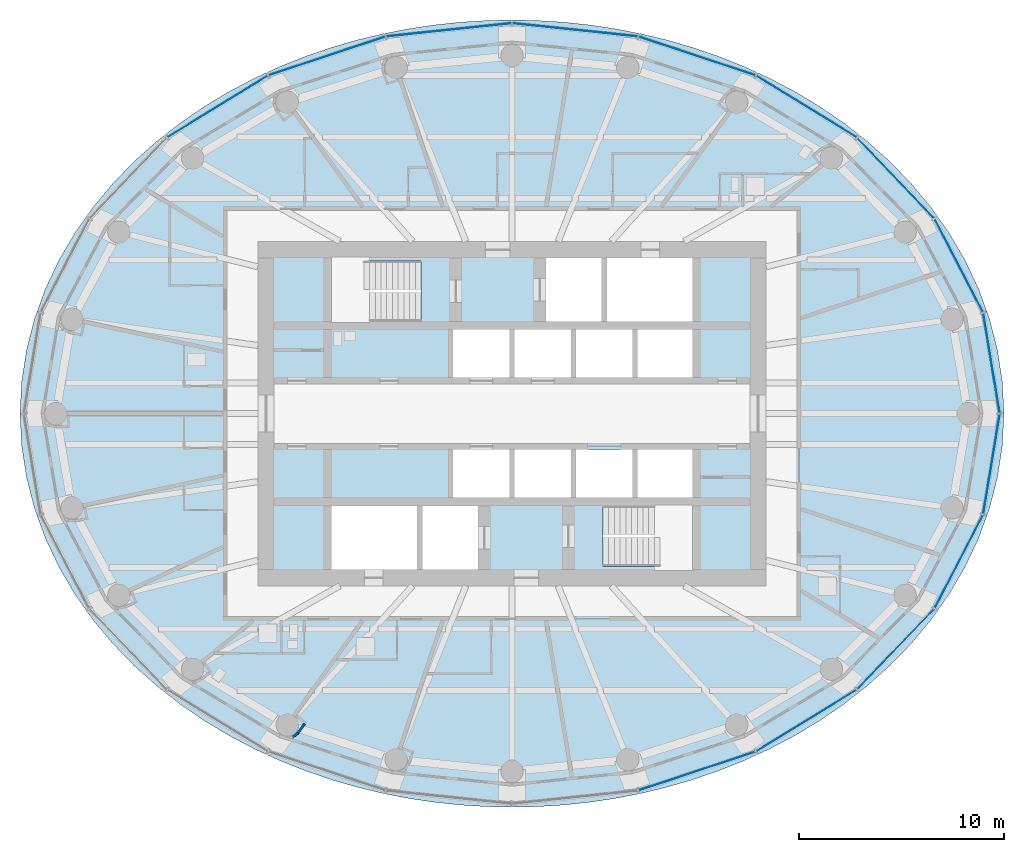
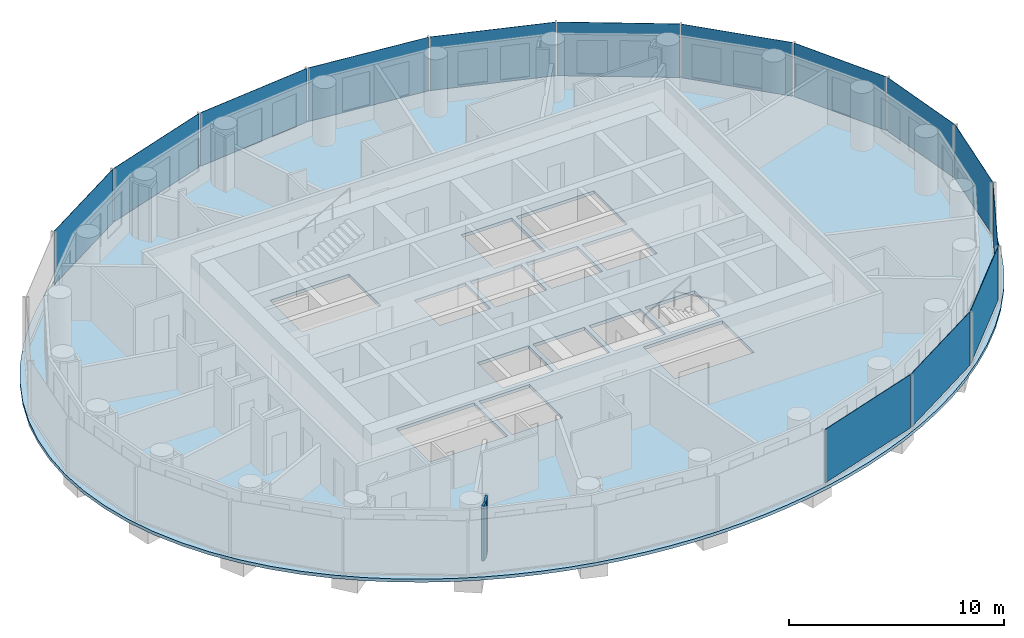
# One storey, part 6 of 16: 14 plates, 2 walls, 1 slab, 3 elements without a shape of their own.
"""IFC4 building model written with IfcOpenShell, lengths in metres."""

from ifc_helpers import new_model, si_unit, direction, frame, frame_2d, origin, origin_2d, place, context, subcontext, project, spatial, polyline, rectangle, outline, extrude, material, layer, layer_set, type_object, element, aggregate, save


model = new_model("IFC4")

# Units and contexts
model_context = context("Model", 3, precision=1e-05, world=origin(), true_north=direction((0.0, 1.0)))
body_context = subcontext(model_context, "Body", "Model", "MODEL_VIEW")
ifc_project = project(units=[si_unit("LENGTHUNIT", "METRE"), si_unit("AREAUNIT", "SQUARE_METRE"), si_unit("VOLUMEUNIT", "CUBIC_METRE"), si_unit("PLANEANGLEUNIT", "RADIAN"), si_unit("MASSUNIT", "GRAM", prefix="KILO")], contexts=[model_context])

# Site, building, storey
site_placement = place(None, origin())
site = spatial("IfcSite", under=ifc_project, at=site_placement, CompositionType="ELEMENT")
building_placement = place(site_placement, origin())
building = spatial("IfcBuilding", under=site, at=building_placement, Name="Hankou Lantern Tower", CompositionType="ELEMENT")
storey_placement = place(building_placement, frame((0.0, 0.0, 143.39990234375)))
storey = spatial("IfcBuildingStorey", under=building, at=storey_placement, Name="L37", CompositionType="ELEMENT", Elevation=143.39990234375)

# Curtain wall, plates
ifc_material_1 = material(Name="Glass, dark grey tinted laminated", Category="glass")
curtain_wall_type = type_object("IfcCurtainWallType", Name="CWC OUTER SKIN HIGH-RISE", PredefinedType="USERDEFINED", material=ifc_material_1)
curtain_wall_1_placement = place(storey_placement, origin())
curtain_wall_1 = element("IfcCurtainWall", 1, at=curtain_wall_1_placement, inside=storey, type_object=curtain_wall_type, Name="CWC L37 OS1", ObjectType="OUTER SKIN HIGH-RISE", PredefinedType="USERDEFINED")
ifc_material_2 = material(Name="Glass, dark grey tinted laminated", Category="glass")
ifc_layer_1 = layer(ifc_material_2, 0.02392578125)
ifc_layer_set_1 = layer_set([ifc_layer_1], Name="Glass, dark grey tinted laminated")
plate_type = type_object("IfcPlateType", Name="PN1 OUTER SKIN GLASS PANEL", PredefinedType="CURTAIN_PANEL", material=ifc_layer_set_1)
plate_1_placement = place(storey_placement, frame((23.39453125, 2.4638671875, 0.080078125), z_axis=(0.0, 0.0, 1.0), x_axis=(-0.162381515188, 0.986728049427, 0.0)))
plate_1 = element("IfcPlate", 2, at=plate_1_placement, type_object=plate_type, Name="CWC glass panel 1", PredefinedType="CURTAIN_PANEL", context=body_context, shape_type="SweptSolid", body=[
    extrude(rectangle(XDim=4.914306640625, YDim=0.02392578125, at=origin_2d()), origin(), (0.0, 0.0, 1.0), 3.0400390625),
])
plate_2_placement = place(storey_placement, frame((21.80029296875, 7.223876953125, 0.080078125), z_axis=(0.0, 0.0, 1.0), x_axis=(-0.459791091957, 0.888027112062, 0.0)))
plate_2 = element("IfcPlate", 3, at=plate_2_placement, type_object=plate_type, Name="CWC glass panel 2", PredefinedType="CURTAIN_PANEL", context=body_context, shape_type="SweptSolid", body=[
    extrude(rectangle(XDim=5.091064453125, YDim=0.02392578125, at=origin_2d()), origin(), (0.0, 0.0, 1.0), 3.0400390625),
])
plate_3_placement = place(storey_placement, frame((18.72021484375, 11.49169921875, 0.080078125), z_axis=(0.0, 0.0, 1.0), x_axis=(-0.692215809936, 0.721690565599, 0.0)))
plate_3 = element("IfcPlate", 4, at=plate_3_placement, type_object=plate_type, Name="CWC glass panel 3", PredefinedType="CURTAIN_PANEL", context=body_context, shape_type="SweptSolid", body=[
    extrude(rectangle(XDim=5.384033203125, YDim=0.02392578125, at=origin_2d()), origin(), (0.0, 0.0, 1.0), 3.0400390625),
])
plate_4_placement = place(storey_placement, frame((14.364501953125, 14.976318359375, 0.080078125), z_axis=(0.0, 0.0, 1.0), x_axis=(-0.852237151549, 0.523155653242, 0.0)))
plate_4 = element("IfcPlate", 5, at=plate_4_placement, type_object=plate_type, Name="CWC glass panel 4", PredefinedType="CURTAIN_PANEL", context=body_context, shape_type="SweptSolid", body=[
    extrude(rectangle(XDim=5.703857421875, YDim=0.02392578125, at=origin_2d()), origin(), (0.0, 0.0, 1.0), 3.0400390625),
])
plate_5_placement = place(storey_placement, frame((9.030029296875, 17.440185546875, 0.080078125), z_axis=(0.0, 0.0, 1.0), x_axis=(-0.949240677293, 0.31455068999, 0.0)))
plate_5 = element("IfcPlate", 6, at=plate_5_placement, type_object=plate_type, Name="CWC glass panel 5", PredefinedType="CURTAIN_PANEL", context=body_context, shape_type="SweptSolid", body=[
    extrude(rectangle(XDim=5.967041015625, YDim=0.02392578125, at=origin_2d()), origin(), (0.0, 0.0, 1.0), 3.0400390625),
])
plate_6_placement = place(storey_placement, frame((3.079833984375, 18.715576171875, 0.080078125), z_axis=(0.0, 0.0, 1.0), x_axis=(-0.994499359107, 0.104742659579, 0.0)))
plate_6 = element("IfcPlate", 7, at=plate_6_placement, type_object=plate_type, Name="CWC glass panel 6", PredefinedType="CURTAIN_PANEL", context=body_context, shape_type="SweptSolid", body=[
    extrude(rectangle(XDim=6.114013671875, YDim=0.02392578125, at=origin_2d()), origin(), (0.0, 0.0, 1.0), 3.0400390625),
])
aggregate(curtain_wall_1, [plate_1, plate_2, plate_3, plate_4, plate_5, plate_6])

curtain_wall_2_placement = place(storey_placement, origin())
curtain_wall_2 = element("IfcCurtainWall", 8, at=curtain_wall_2_placement, inside=storey, type_object=curtain_wall_type, Name="CWC L37 OS2", ObjectType="OUTER SKIN HIGH-RISE", PredefinedType="USERDEFINED")
plate_7_placement = place(storey_placement, frame((-3.079833984375, 18.715576171875, 0.080078125), z_axis=(0.0, 0.0, 1.0), x_axis=(-0.994499359107, -0.104742659579, 0.0)))
plate_7 = element("IfcPlate", 9, at=plate_7_placement, type_object=plate_type, Name="CWC glass panel 1", PredefinedType="CURTAIN_PANEL", context=body_context, shape_type="SweptSolid", body=[
    extrude(rectangle(XDim=6.114013671875, YDim=0.02392578125, at=origin_2d()), origin(), (0.0, 0.0, 1.0), 3.0400390625),
])
plate_8_placement = place(storey_placement, frame((-9.030029296875, 17.440185546875, 0.080078125), z_axis=(0.0, 0.0, 1.0), x_axis=(-0.949240677293, -0.31455068999, 0.0)))
plate_8 = element("IfcPlate", 10, at=plate_8_placement, type_object=plate_type, Name="CWC glass panel 2", PredefinedType="CURTAIN_PANEL", context=body_context, shape_type="SweptSolid", body=[
    extrude(rectangle(XDim=5.967041015625, YDim=0.02392578125, at=origin_2d()), origin(), (0.0, 0.0, 1.0), 3.0400390625),
])
plate_9_placement = place(storey_placement, frame((-14.364501953125, 14.976318359375, 0.080078125), z_axis=(0.0, 0.0, 1.0), x_axis=(-0.852237151549, -0.523155653242, 0.0)))
plate_9 = element("IfcPlate", 11, at=plate_9_placement, type_object=plate_type, Name="CWC glass panel 3", PredefinedType="CURTAIN_PANEL", context=body_context, shape_type="SweptSolid", body=[
    extrude(rectangle(XDim=5.703857421875, YDim=0.02392578125, at=origin_2d()), origin(), (0.0, 0.0, 1.0), 3.0400390625),
])
aggregate(curtain_wall_2, [plate_7, plate_8, plate_9])

curtain_wall_3_placement = place(storey_placement, origin())
curtain_wall_3 = element("IfcCurtainWall", 12, at=curtain_wall_3_placement, inside=storey, type_object=curtain_wall_type, Name="CWC L37 OS4", ObjectType="OUTER SKIN HIGH-RISE", PredefinedType="USERDEFINED")
plate_10_placement = place(storey_placement, frame((9.030029296875, -17.440185546875, 0.080078125), z_axis=(0.0, 0.0, 1.0), x_axis=(0.949240677293, 0.31455068999, 0.0)))
plate_10 = element("IfcPlate", 13, at=plate_10_placement, type_object=plate_type, Name="CWC glass panel 2", PredefinedType="CURTAIN_PANEL", context=body_context, shape_type="SweptSolid", body=[
    extrude(rectangle(XDim=5.967041015625, YDim=0.02392578125, at=origin_2d()), origin(), (0.0, 0.0, 1.0), 3.0400390625),
])
plate_11_placement = place(storey_placement, frame((14.364501953125, -14.976318359375, 0.080078125), z_axis=(0.0, 0.0, 1.0), x_axis=(0.852237151549, 0.523155653242, 0.0)))
plate_11 = element("IfcPlate", 14, at=plate_11_placement, type_object=plate_type, Name="CWC glass panel 3", PredefinedType="CURTAIN_PANEL", context=body_context, shape_type="SweptSolid", body=[
    extrude(rectangle(XDim=5.703857421875, YDim=0.02392578125, at=origin_2d()), origin(), (0.0, 0.0, 1.0), 3.0400390625),
])
plate_12_placement = place(storey_placement, frame((18.72021484375, -11.49169921875, 0.080078125), z_axis=(0.0, 0.0, 1.0), x_axis=(0.692215809936, 0.721690565599, 0.0)))
plate_12 = element("IfcPlate", 15, at=plate_12_placement, type_object=plate_type, Name="CWC glass panel 4", PredefinedType="CURTAIN_PANEL", context=body_context, shape_type="SweptSolid", body=[
    extrude(rectangle(XDim=5.384033203125, YDim=0.02392578125, at=origin_2d()), origin(), (0.0, 0.0, 1.0), 3.0400390625),
])
plate_13_placement = place(storey_placement, frame((21.80029296875, -7.223876953125, 0.080078125), z_axis=(0.0, 0.0, 1.0), x_axis=(0.459791091957, 0.888027112062, 0.0)))
plate_13 = element("IfcPlate", 16, at=plate_13_placement, type_object=plate_type, Name="CWC glass panel 5", PredefinedType="CURTAIN_PANEL", context=body_context, shape_type="SweptSolid", body=[
    extrude(rectangle(XDim=5.091064453125, YDim=0.02392578125, at=origin_2d()), origin(), (0.0, 0.0, 1.0), 3.0400390625),
])
plate_14_placement = place(storey_placement, frame((23.39453125, -2.4638671875, 0.080078125), z_axis=(0.0, 0.0, 1.0), x_axis=(0.162381515188, 0.986728049427, 0.0)))
plate_14 = element("IfcPlate", 17, at=plate_14_placement, type_object=plate_type, Name="CWC glass panel 6", PredefinedType="CURTAIN_PANEL", context=body_context, shape_type="SweptSolid", body=[
    extrude(rectangle(XDim=4.914306640625, YDim=0.02392578125, at=origin_2d()), origin(), (0.0, 0.0, 1.0), 3.0400390625),
])
aggregate(curtain_wall_3, [plate_10, plate_11, plate_12, plate_13, plate_14])

# Slab
ifc_material_3 = material(Name="Concrete C50", Category="concrete")
ifc_layer_2 = layer(ifc_material_3, 0.179931640625)
ifc_layer_set_2 = layer_set([ifc_layer_2], Name="Concrete C50")
slab_type = type_object("IfcSlabType", Name="S1 CONCRETE FLOOR SLAB 180", PredefinedType="FLOOR", material=ifc_layer_set_2)
slab_placement = place(storey_placement, frame((0.0, 0.0, -0.179931640625)))
element("IfcSlab", 18, at=slab_placement, inside=storey, type_object=slab_type, Name="Floor slab L37", PredefinedType="FLOOR", context=body_context, shape_type="SweptSolid", body=[
    extrude(outline(polyline([(24.0, 0.0), (23.919921875, 1.56787109375), (23.681396484375, 3.11767578125), (23.290771484375, 4.6328125), (22.75732421875, 6.097900390625), (22.09326171875, 7.499755859375), (21.312744140625, 8.827880859375), (20.43017578125, 10.0751953125), (19.461181640625, 11.23583984375), (18.420166015625, 12.307861328125), (17.320556640625, 13.29052734375), (16.174560546875, 14.184814453125), (14.99267578125, 14.99267578125), (13.783935546875, 15.717529296875), (12.5556640625, 16.363037109375), (11.31396484375, 16.9326171875), (10.0634765625, 17.4306640625), (8.8076171875, 17.8603515625), (7.54931640625, 18.225341796875), (6.289794921875, 18.52880859375), (5.0302734375, 18.7734375), (3.771728515625, 18.96142578125), (2.513916015625, 19.094482421875), (1.256591796875, 19.173583984375), (0.0, 19.199951171875), (-1.256591796875, 19.173583984375), (-2.513916015625, 19.094482421875), (-3.771728515625, 18.96142578125), (-5.0302734375, 18.7734375), (-6.289794921875, 18.52880859375), (-7.54931640625, 18.225341796875), (-8.8076171875, 17.8603515625), (-10.0634765625, 17.4306640625), (-11.31396484375, 16.9326171875), (-12.5556640625, 16.363037109375), (-13.783935546875, 15.717529296875), (-14.99267578125, 14.99267578125), (-16.174560546875, 14.184814453125), (-17.320556640625, 13.29052734375), (-18.420166015625, 12.307861328125), (-19.461181640625, 11.23583984375), (-20.43017578125, 10.0751953125), (-21.312744140625, 8.827880859375), (-22.09326171875, 7.499755859375), (-22.75732421875, 6.097900390625), (-23.290771484375, 4.6328125), (-23.681396484375, 3.11767578125), (-23.919921875, 1.56787109375), (-24.0, 0.0), (-23.919921875, -1.56787109375), (-23.681396484375, -3.11767578125), (-23.290771484375, -4.6328125), (-22.75732421875, -6.097900390625), (-22.09326171875, -7.499755859375), (-21.312744140625, -8.827880859375), (-20.43017578125, -10.0751953125), (-19.461181640625, -11.23583984375), (-18.420166015625, -12.307861328125), (-17.320556640625, -13.29052734375), (-16.174560546875, -14.184814453125), (-14.99267578125, -14.99267578125), (-13.783935546875, -15.717529296875), (-12.5556640625, -16.363037109375), (-11.31396484375, -16.9326171875), (-10.0634765625, -17.4306640625), (-8.8076171875, -17.8603515625), (-7.54931640625, -18.225341796875), (-6.289794921875, -18.52880859375), (-5.0302734375, -18.7734375), (-3.771728515625, -18.96142578125), (-2.513916015625, -19.094482421875), (-1.256591796875, -19.173583984375), (0.0, -19.199951171875), (1.256591796875, -19.173583984375), (2.513916015625, -19.094482421875), (3.771728515625, -18.96142578125), (5.0302734375, -18.7734375), (6.289794921875, -18.52880859375), (7.54931640625, -18.225341796875), (8.8076171875, -17.8603515625), (10.0634765625, -17.4306640625), (11.31396484375, -16.9326171875), (12.5556640625, -16.363037109375), (13.783935546875, -15.717529296875), (14.99267578125, -14.99267578125), (16.174560546875, -14.184814453125), (17.320556640625, -13.29052734375), (18.420166015625, -12.307861328125), (19.461181640625, -11.23583984375), (20.43017578125, -10.0751953125), (21.312744140625, -8.827880859375), (22.09326171875, -7.499755859375), (22.75732421875, -6.097900390625), (23.290771484375, -4.6328125), (23.681396484375, -3.11767578125), (23.919921875, -1.56787109375), (24.0, 0.0)]), holes=[polyline([(-2.875, 4.10009765625), (-0.125, 4.10009765625), (-0.125, 1.75), (-2.875, 1.75), (-2.875, 4.10009765625)]), polyline([(0.125, 4.10009765625), (2.875, 4.10009765625), (2.875, 1.75), (0.125, 1.75), (0.125, 4.10009765625)]), polyline([(3.125, 4.10009765625), (5.875, 4.10009765625), (5.875, 1.75), (3.125, 1.75), (3.125, 4.10009765625)]), polyline([(6.125, 4.10009765625), (8.800048828125, 4.10009765625), (8.800048828125, 1.75), (6.125, 1.75), (6.125, 4.10009765625)]), polyline([(-2.875, -1.75), (-0.125, -1.75), (-0.125, -4.10009765625), (-2.875, -4.10009765625), (-2.875, -1.75)]), polyline([(0.125, -1.75), (2.875, -1.75), (2.875, -4.10009765625), (0.125, -4.10009765625), (0.125, -1.75)]), polyline([(3.125, -1.75), (5.875, -1.75), (5.875, -4.10009765625), (3.125, -4.10009765625), (3.125, -1.75)]), polyline([(6.125, -1.75), (8.800048828125, -1.75), (8.800048828125, -4.10009765625), (6.125, -4.10009765625), (6.125, -1.75)]), polyline([(1.64990234375, 7.60009765625), (4.375, 7.60009765625), (4.375, 4.5), (1.64990234375, 4.5), (1.64990234375, 7.60009765625)]), polyline([(-4.375, -4.5), (-1.64990234375, -4.5), (-1.64990234375, -7.60009765625), (-4.375, -7.60009765625), (-4.375, -4.5)]), polyline([(-8.699951171875, 7.449951171875), (-4.449951171875, 7.449951171875), (-4.449951171875, 4.5), (-8.699951171875, 4.5), (-8.699951171875, 7.449951171875)]), polyline([(4.449951171875, -4.5), (8.699951171875, -4.5), (8.699951171875, -7.449951171875), (4.449951171875, -7.449951171875), (4.449951171875, -4.5)]), polyline([(4.625, 7.60009765625), (8.800048828125, 7.60009765625), (8.800048828125, 4.5), (4.625, 4.5), (4.625, 7.60009765625)]), polyline([(-8.800048828125, -4.5), (-4.625, -4.5), (-4.625, -7.60009765625), (-8.800048828125, -7.60009765625), (-8.800048828125, -4.5)])]), origin(), (0.0, 0.0, 1.0), 0.179931640625),
])

# Walls
ifc_material_4 = material(Name="Masonry lightweight concrete block", Category="masonry")
ifc_layer_3 = layer(ifc_material_4, 0.1201171875)
ifc_layer_set_3 = layer_set([ifc_layer_3], Name="Masonry lightweight concrete block")
wall_type = type_object("IfcWallType", Name="IW4 PARTITION 120", PredefinedType="PARTITIONING", material=ifc_layer_set_3)
wall_1_placement = place(storey_placement, frame((-10.10888671875, -15.121826171875, 0.0), z_axis=(0.0, 0.0, 1.0), x_axis=(-0.585344718358, -0.810784534072, 0.0)))
element("IfcWall", 19, at=wall_1_placement, inside=storey, type_object=wall_type, Name="Column casing R17", PredefinedType="PARTITIONING", context=body_context, shape_type="SweptSolid", body=[
    extrude(rectangle(XDim=0.550048828125, YDim=0.1201171875, at=frame_2d((0.27490234375, 0.0))), origin(), (0.0, 0.0, 1.0), 3.1201171875),
])
wall_2_placement = place(storey_placement, frame((-10.430908203125, -15.56787109375, 0.0), z_axis=(0.0, 0.0, 1.0), x_axis=(-0.77505137267, -0.631898227345, 0.0)))
element("IfcWall", 20, at=wall_2_placement, inside=storey, type_object=wall_type, Name="Column casing R17", PredefinedType="PARTITIONING", context=body_context, shape_type="SweptSolid", body=[
    extrude(rectangle(XDim=0.337646484375, YDim=0.1201171875, at=frame_2d((0.1689453125, 0.0))), origin(), (0.0, 0.0, 1.0), 3.1201171875),
])

save(model, "model.ifc")
